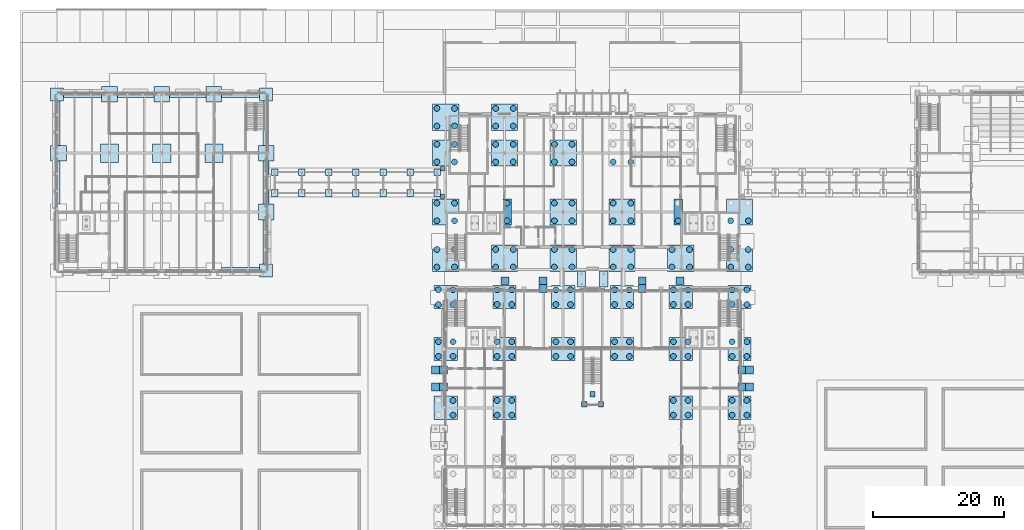
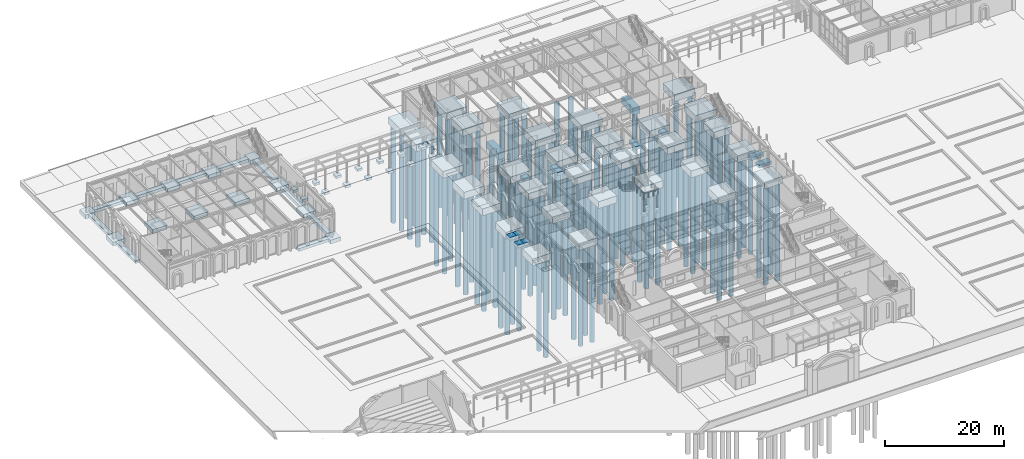
# One storey, part 2 of 126: 125 piles, 90 footings.
"""IFC4 building model written with IfcOpenShell, lengths in metres."""

from ifc_helpers import new_model, si_unit, direction, frame, origin, origin_2d, place, context, subcontext, project, spatial, rectangle, circle, extrude, material, type_object, element, save


model = new_model("IFC4")

# Units and contexts
model_context = context("Model", 3, precision=1e-05, world=origin(), true_north=direction((0.0, 1.0)))
body_context = subcontext(model_context, "Body", "Model", "MODEL_VIEW")
ifc_project = project(units=[si_unit("LENGTHUNIT", "METRE"), si_unit("AREAUNIT", "SQUARE_METRE"), si_unit("VOLUMEUNIT", "CUBIC_METRE"), si_unit("PLANEANGLEUNIT", "RADIAN"), si_unit("MASSUNIT", "GRAM", prefix="KILO")], contexts=[model_context])

# Site, building, storey
site_placement = place(None, origin())
site = spatial("IfcSite", under=ifc_project, at=site_placement, CompositionType="ELEMENT")
building_placement = place(site_placement, origin())
building = spatial("IfcBuilding", under=site, at=building_placement, Name="Kallimachos Central Library", CompositionType="ELEMENT")
storey_placement = place(building_placement, origin())
storey = spatial("IfcBuildingStorey", under=building, at=storey_placement, Name="L00", CompositionType="ELEMENT", Elevation=0.0)

# Piles
ifc_material_1 = material(Name="Concrete C30/37", Category="concrete")
pile_type = type_object("IfcPileType", Name="Bored pile D900", PredefinedType="BORED", material=ifc_material_1)
for number, where, z_axis, x_axis, name in (
    (1, (66.625, 64.875, -1.60009765625), (0.0, 0.0, -1.0), (1.0, 0.0, 0.0), "V4-PIL-L00-051"),
    (2, (66.625, 67.125, -1.60009765625), (0.0, 0.0, -1.0), (1.0, 0.0, 0.0), "V4-PIL-L00-052"),
    (3, (73.375, 64.875, -1.60009765625), (0.0, 0.0, -1.0), (1.0, 0.0, 0.0), "V4-PIL-L00-053"),
    (4, (73.375, 67.125, -1.60009765625), (0.0, 0.0, -1.0), (1.0, 0.0, 0.0), "V4-PIL-L00-054"),
    (5, (75.625, 64.875, -1.60009765625), (0.0, 0.0, -1.0), (1.0, 0.0, 0.0), "V4-PIL-L00-055"),
    (6, (75.625, 67.125, -1.60009765625), (0.0, 0.0, -1.0), (1.0, 0.0, 0.0), "V4-PIL-L00-056"),
    (7, (100.375, 64.875, -1.60009765625), (0.0, 0.0, -1.0), (1.0, 0.0, 0.0), "V4-PIL-L00-057"),
    (8, (100.375, 67.125, -1.60009765625), (0.0, 0.0, -1.0), (1.0, 0.0, 0.0), "V4-PIL-L00-058"),
    (9, (102.625, 64.875, -1.60009765625), (0.0, 0.0, -1.0), (1.0, 0.0, 0.0), "V4-PIL-L00-059"),
    (10, (102.625, 67.125, -1.60009765625), (0.0, 0.0, -1.0), (1.0, 0.0, 0.0), "V4-PIL-L00-060"),
    (11, (109.375, 64.875, -1.60009765625), (0.0, 0.0, -1.0), (1.0, 0.0, 0.0), "V4-PIL-L00-061"),
    (12, (109.375, 67.125, -1.60009765625), (0.0, 0.0, -1.0), (1.0, 0.0, 0.0), "V4-PIL-L00-062"),
    (13, (111.625, 64.875, -1.60009765625), (0.0, 0.0, -1.0), (1.0, 0.0, 0.0), "V4-PIL-L00-063"),
    (14, (111.625, 67.125, -1.60009765625), (0.0, 0.0, -1.0), (1.0, 0.0, 0.0), "V4-PIL-L00-064"),
    (15, (64.375, 73.875, -1.60009765625), (0.0, 0.0, -1.0), (1.0, 0.0, 0.0), "V4-PIL-L00-065"),
    (16, (64.375, 76.125, -1.60009765625), (0.0, 0.0, -1.0), (1.0, 0.0, 0.0), "V4-PIL-L00-066"),
    (17, (66.625, 73.875, -1.60009765625), (0.0, 0.0, -1.0), (1.0, 0.0, 0.0), "V4-PIL-L00-067"),
    (18, (66.625, 76.125, -1.60009765625), (0.0, 0.0, -1.0), (1.0, 0.0, 0.0), "V4-PIL-L00-068"),
    (19, (73.375, 73.875, -1.60009765625), (0.0, 0.0, -1.0), (1.0, 0.0, 0.0), "V4-PIL-L00-069"),
    (20, (73.375, 76.125, -1.60009765625), (0.0, 0.0, -1.0), (1.0, 0.0, 0.0), "V4-PIL-L00-070"),
    (21, (75.625, 73.875, -1.60009765625), (0.0, 0.0, -1.0), (1.0, 0.0, 0.0), "V4-PIL-L00-071"),
    (22, (75.625, 76.125, -1.60009765625), (0.0, 0.0, -1.0), (1.0, 0.0, 0.0), "V4-PIL-L00-072"),
    (23, (82.375, 73.875, -1.60009765625), (0.0, 0.0, -1.0), (1.0, 0.0, 0.0), "V4-PIL-L00-073"),
    (24, (82.375, 76.125, -1.60009765625), (0.0, 0.0, -1.0), (1.0, 0.0, 0.0), "V4-PIL-L00-074"),
    (25, (84.625, 73.875, -1.60009765625), (0.0, 0.0, -1.0), (1.0, 0.0, 0.0), "V4-PIL-L00-075"),
    (26, (84.625, 76.125, -1.60009765625), (0.0, 0.0, -1.0), (1.0, 0.0, 0.0), "V4-PIL-L00-076"),
    (27, (91.375, 73.875, -1.60009765625), (0.0, 0.0, -1.0), (1.0, 0.0, 0.0), "V4-PIL-L00-077"),
    (28, (91.375, 76.125, -1.60009765625), (0.0, 0.0, -1.0), (1.0, 0.0, 0.0), "V4-PIL-L00-078"),
    (29, (93.625, 73.875, -1.60009765625), (0.0, 0.0, -1.0), (1.0, 0.0, 0.0), "V4-PIL-L00-079"),
    (30, (93.625, 76.125, -1.60009765625), (0.0, 0.0, -1.0), (1.0, 0.0, 0.0), "V4-PIL-L00-080"),
    (31, (100.375, 73.875, -1.60009765625), (0.0, 0.0, -1.0), (1.0, 0.0, 0.0), "V4-PIL-L00-081"),
    (32, (100.375, 76.125, -1.60009765625), (0.0, 0.0, -1.0), (1.0, 0.0, 0.0), "V4-PIL-L00-082"),
    (33, (102.625, 73.875, -1.60009765625), (0.0, 0.0, -1.0), (1.0, 0.0, 0.0), "V4-PIL-L00-083"),
    (34, (102.625, 76.125, -1.60009765625), (0.0, 0.0, -1.0), (1.0, 0.0, 0.0), "V4-PIL-L00-084"),
    (35, (109.375, 73.875, -1.60009765625), (0.0, 0.0, -1.0), (1.0, 0.0, 0.0), "V4-PIL-L00-085"),
    (36, (109.375, 76.125, -1.60009765625), (0.0, 0.0, -1.0), (1.0, 0.0, 0.0), "V4-PIL-L00-086"),
    (37, (111.625, 73.875, -1.60009765625), (0.0, 0.0, -1.0), (1.0, 0.0, 0.0), "V4-PIL-L00-087"),
    (38, (111.625, 76.125, -1.60009765625), (0.0, 0.0, -1.0), (1.0, 0.0, 0.0), "V4-PIL-L00-088"),
    (39, (64.375, 81.824951171875, -1.60009765625), (0.0, 0.0, -1.0), (1.0, 0.0, 0.0), "V4-PIL-L00-089"),
    (40, (64.375, 84.074951171875, -1.60009765625), (0.0, 0.0, -1.0), (1.0, 0.0, 0.0), "V4-PIL-L00-090"),
    (41, (66.625, 81.824951171875, -1.60009765625), (0.0, 0.0, -1.0), (1.0, 0.0, 0.0), "V4-PIL-L00-091"),
    (42, (66.625, 84.074951171875, -1.60009765625), (0.0, 0.0, -1.0), (1.0, 0.0, 0.0), "V4-PIL-L00-092"),
    (43, (73.375, 81.824951171875, -1.60009765625), (0.0, 0.0, -1.0), (1.0, 0.0, 0.0), "V4-PIL-L00-093"),
    (44, (73.375, 84.074951171875, -1.60009765625), (0.0, 0.0, -1.0), (1.0, 0.0, 0.0), "V4-PIL-L00-094"),
    (45, (75.625, 81.824951171875, -1.60009765625), (0.0, 0.0, -1.0), (1.0, 0.0, 0.0), "V4-PIL-L00-095"),
    (46, (75.625, 84.074951171875, -1.60009765625), (0.0, 0.0, -1.0), (1.0, 0.0, 0.0), "V4-PIL-L00-096"),
    (47, (82.375, 81.824951171875, -1.60009765625), (0.0, 0.0, -1.0), (1.0, 0.0, 0.0), "V4-PIL-L00-097"),
    (48, (82.375, 84.074951171875, -1.60009765625), (0.0, 0.0, -1.0), (1.0, 0.0, 0.0), "V4-PIL-L00-098"),
    (49, (84.625, 81.824951171875, -1.60009765625), (0.0, 0.0, -1.0), (1.0, 0.0, 0.0), "V4-PIL-L00-099"),
    (50, (84.625, 84.074951171875, -1.60009765625), (0.0, 0.0, -1.0), (1.0, 0.0, 0.0), "V4-PIL-L00-100"),
    (51, (91.375, 81.824951171875, -1.60009765625), (0.0, 0.0, -1.0), (1.0, 0.0, 0.0), "V4-PIL-L00-101"),
    (52, (91.375, 84.074951171875, -1.60009765625), (0.0, 0.0, -1.0), (1.0, 0.0, 0.0), "V4-PIL-L00-102"),
    (53, (93.625, 81.824951171875, -1.60009765625), (0.0, 0.0, -1.0), (1.0, 0.0, 0.0), "V4-PIL-L00-103"),
    (54, (93.625, 84.074951171875, -1.60009765625), (0.0, 0.0, -1.0), (1.0, 0.0, 0.0), "V4-PIL-L00-104"),
    (55, (100.375, 81.824951171875, -1.60009765625), (0.0, 0.0, -1.0), (1.0, 0.0, 0.0), "V4-PIL-L00-105"),
    (56, (100.375, 84.074951171875, -1.60009765625), (0.0, 0.0, -1.0), (1.0, 0.0, 0.0), "V4-PIL-L00-106"),
    (57, (102.625, 81.824951171875, -1.60009765625), (0.0, 0.0, -1.0), (1.0, 0.0, 0.0), "V4-PIL-L00-107"),
    (58, (102.625, 84.074951171875, -1.60009765625), (0.0, 0.0, -1.0), (1.0, 0.0, 0.0), "V4-PIL-L00-108"),
    (59, (109.375, 81.824951171875, -1.60009765625), (0.0, 0.0, -1.0), (1.0, 0.0, 0.0), "V4-PIL-L00-109"),
    (60, (109.375, 84.074951171875, -1.60009765625), (0.0, 0.0, -1.0), (1.0, 0.0, 0.0), "V4-PIL-L00-110"),
    (61, (111.625, 81.824951171875, -1.60009765625), (0.0, 0.0, -1.0), (1.0, 0.0, 0.0), "V4-PIL-L00-111"),
    (62, (111.625, 84.074951171875, -1.60009765625), (0.0, 0.0, -1.0), (1.0, 0.0, 0.0), "V4-PIL-L00-112"),
    (63, (64.14990234375, 87.550048828125, -1.60009765625), (0.0, 0.0, -1.0), (1.0, 0.0, 0.0), "V1-PIL-L00-001"),
    (64, (64.14990234375, 90.25, -1.60009765625), (0.0, 0.0, -1.0), (1.0, 0.0, 0.0), "V1-PIL-L00-002"),
    (65, (66.85009765625, 87.550048828125, -1.60009765625), (0.0, 0.0, -1.0), (1.0, 0.0, 0.0), "V1-PIL-L00-003"),
    (66, (66.85009765625, 90.25, -1.60009765625), (0.0, 0.0, -1.0), (1.0, 0.0, 0.0), "V1-PIL-L00-004"),
    (67, (73.14990234375, 87.550048828125, -1.60009765625), (0.0, 0.0, -1.0), (1.0, 0.0, 0.0), "V1-PIL-L00-005"),
    (68, (73.14990234375, 90.25, -1.60009765625), (0.0, 0.0, -1.0), (1.0, 0.0, 0.0), "V1-PIL-L00-006"),
    (69, (75.85009765625, 87.550048828125, -1.60009765625), (0.0, 0.0, -1.0), (1.0, 0.0, 0.0), "V1-PIL-L00-007"),
    (70, (75.85009765625, 90.25, -1.60009765625), (0.0, 0.0, -1.0), (1.0, 0.0, 0.0), "V1-PIL-L00-008"),
    (71, (82.14990234375, 87.550048828125, -1.60009765625), (0.0, 0.0, -1.0), (1.0, 0.0, 0.0), "V1-PIL-L00-009"),
    (72, (82.14990234375, 90.25, -1.60009765625), (0.0, 0.0, -1.0), (1.0, 0.0, 0.0), "V1-PIL-L00-010"),
    (73, (84.85009765625, 87.550048828125, -1.60009765625), (0.0, 0.0, -1.0), (1.0, 0.0, 0.0), "V1-PIL-L00-011"),
    (74, (84.85009765625, 90.25, -1.60009765625), (0.0, 0.0, -1.0), (1.0, 0.0, 0.0), "V1-PIL-L00-012"),
    (75, (91.14990234375, 87.550048828125, -1.60009765625), (0.0, 0.0, -1.0), (1.0, 0.0, 0.0), "V1-PIL-L00-013"),
    (76, (91.14990234375, 90.25, -1.60009765625), (0.0, 0.0, -1.0), (1.0, 0.0, 0.0), "V1-PIL-L00-014"),
    (77, (93.85009765625, 87.550048828125, -1.60009765625), (0.0, 0.0, -1.0), (1.0, 0.0, 0.0), "V1-PIL-L00-015"),
    (78, (93.85009765625, 90.25, -1.60009765625), (0.0, 0.0, -1.0), (1.0, 0.0, 0.0), "V1-PIL-L00-016"),
    (79, (100.14990234375, 87.550048828125, -1.60009765625), (0.0, 0.0, -1.0), (1.0, 0.0, 0.0), "V1-PIL-L00-017"),
    (80, (100.14990234375, 90.25, -1.60009765625), (0.0, 0.0, -1.0), (1.0, 0.0, 0.0), "V1-PIL-L00-018"),
    (81, (102.85009765625, 87.550048828125, -1.60009765625), (0.0, 0.0, -1.0), (1.0, 0.0, 0.0), "V1-PIL-L00-019"),
    (82, (102.85009765625, 90.25, -1.60009765625), (0.0, 0.0, -1.0), (1.0, 0.0, 0.0), "V1-PIL-L00-020"),
    (83, (109.14990234375, 87.550048828125, -1.60009765625), (0.0, 0.0, -1.0), (1.0, 0.0, 0.0), "V1-PIL-L00-021"),
    (84, (109.14990234375, 90.25, -1.60009765625), (0.0, 0.0, -1.0), (1.0, 0.0, 0.0), "V1-PIL-L00-022"),
    (85, (111.85009765625, 87.550048828125, -1.60009765625), (0.0, 0.0, -1.0), (1.0, 0.0, 0.0), "V1-PIL-L00-023"),
    (86, (111.85009765625, 90.25, -1.60009765625), (0.0, 0.0, -1.0), (1.0, 0.0, 0.0), "V1-PIL-L00-024"),
    (87, (64.14990234375, 94.64990234375, -1.60009765625), (0.0, 0.0, -1.0), (1.0, 0.0, 0.0), "V1-PIL-L00-025"),
    (88, (64.14990234375, 97.35009765625, -1.60009765625), (0.0, 0.0, -1.0), (1.0, 0.0, 0.0), "V1-PIL-L00-026"),
    (89, (66.85009765625, 94.64990234375, -1.60009765625), (0.0, 0.0, -1.0), (1.0, 0.0, 0.0), "V1-PIL-L00-027"),
    (90, (66.85009765625, 97.35009765625, -1.60009765625), (0.0, 0.0, -1.0), (1.0, 0.0, 0.0), "V1-PIL-L00-028"),
    (91, (74.89990234375, 94.64990234375, -1.60009765625), (0.0, 0.0, -1.0), (1.0, 0.0, 0.0), "V1-PIL-L00-029"),
    (92, (74.89990234375, 97.35009765625, -1.60009765625), (0.0, 0.0, -1.0), (1.0, 0.0, 0.0), "V1-PIL-L00-030"),
    (93, (82.14990234375, 94.64990234375, -1.60009765625), (0.0, 0.0, -1.0), (1.0, 0.0, 0.0), "V1-PIL-L00-031"),
    (94, (82.14990234375, 97.35009765625, -1.60009765625), (0.0, 0.0, -1.0), (1.0, 0.0, 0.0), "V1-PIL-L00-032"),
    (95, (84.85009765625, 94.64990234375, -1.60009765625), (0.0, 0.0, -1.0), (1.0, 0.0, 0.0), "V1-PIL-L00-033"),
    (96, (84.85009765625, 97.35009765625, -1.60009765625), (0.0, 0.0, -1.0), (1.0, 0.0, 0.0), "V1-PIL-L00-034"),
    (97, (91.14990234375, 94.64990234375, -1.60009765625), (0.0, 0.0, -1.0), (1.0, 0.0, 0.0), "V1-PIL-L00-035"),
    (98, (91.14990234375, 97.35009765625, -1.60009765625), (0.0, 0.0, -1.0), (1.0, 0.0, 0.0), "V1-PIL-L00-036"),
    (99, (93.85009765625, 94.64990234375, -1.60009765625), (0.0, 0.0, -1.0), (1.0, 0.0, 0.0), "V1-PIL-L00-037"),
    (100, (93.85009765625, 97.35009765625, -1.60009765625), (0.0, 0.0, -1.0), (1.0, 0.0, 0.0), "V1-PIL-L00-038"),
    (101, (101.10009765625, 94.64990234375, -1.60009765625), (0.0, 0.0, -1.0), (1.0, 0.0, 0.0), "V1-PIL-L00-039"),
    (102, (109.14990234375, 94.64990234375, -1.60009765625), (0.0, 0.0, -1.0), (1.0, 0.0, 0.0), "V1-PIL-L00-041"),
    (103, (111.85009765625, 94.64990234375, -1.60009765625), (0.0, 0.0, -1.0), (1.0, 0.0, 0.0), "V1-PIL-L00-043"),
    (104, (64.14990234375, 103.64990234375, -1.60009765625), (0.0, 0.0, -1.0), (1.0, 0.0, 0.0), "V1-PIL-L00-045"),
    (105, (64.14990234375, 106.35009765625, -1.60009765625), (0.0, 0.0, -1.0), (1.0, 0.0, 0.0), "V1-PIL-L00-046"),
    (106, (66.85009765625, 103.64990234375, -1.60009765625), (0.0, 0.0, -1.0), (1.0, 0.0, 0.0), "V1-PIL-L00-047"),
    (107, (66.85009765625, 106.35009765625, -1.60009765625), (0.0, 0.0, -1.0), (1.0, 0.0, 0.0), "V1-PIL-L00-048"),
    (108, (73.14990234375, 103.64990234375, -1.60009765625), (0.0, 0.0, -1.0), (1.0, 0.0, 0.0), "V1-PIL-L00-049"),
    (109, (73.14990234375, 106.35009765625, -1.60009765625), (0.0, 0.0, -1.0), (1.0, 0.0, 0.0), "V1-PIL-L00-050"),
    (110, (75.85009765625, 103.64990234375, -1.60009765625), (0.0, 0.0, -1.0), (1.0, 0.0, 0.0), "V1-PIL-L00-051"),
    (111, (75.85009765625, 106.35009765625, -1.60009765625), (0.0, 0.0, -1.0), (1.0, 0.0, 0.0), "V1-PIL-L00-052"),
    (112, (82.14990234375, 103.64990234375, -1.60009765625), (0.0, 0.0, -1.0), (1.0, 0.0, 0.0), "V1-PIL-L00-053"),
    (113, (82.14990234375, 106.35009765625, -1.60009765625), (0.0, 0.0, -1.0), (1.0, 0.0, 0.0), "V1-PIL-L00-054"),
    (114, (84.85009765625, 103.64990234375, -1.60009765625), (0.0, 0.0, -1.0), (1.0, 0.0, 0.0), "V1-PIL-L00-055"),
    (115, (84.85009765625, 106.35009765625, -1.60009765625), (0.0, 0.0, -1.0), (1.0, 0.0, 0.0), "V1-PIL-L00-056"),
    (116, (91.14990234375, 103.64990234375, -1.60009765625), (0.0, 0.0, -1.0), (1.0, 0.0, 0.0), "V1-PIL-L00-057"),
    (117, (93.85009765625, 103.64990234375, -1.60009765625), (0.0, 0.0, -1.0), (1.0, 0.0, 0.0), "V1-PIL-L00-059"),
    (118, (64.14990234375, 109.14990234375, -1.60009765625), (0.0, 0.0, -1.0), (1.0, 0.0, 0.0), "V1-PIL-L00-069"),
    (119, (64.14990234375, 111.85009765625, -1.60009765625), (0.0, 0.0, -1.0), (1.0, 0.0, 0.0), "V1-PIL-L00-070"),
    (120, (66.85009765625, 109.14990234375, -1.60009765625), (0.0, 0.0, -1.0), (1.0, 0.0, 0.0), "V1-PIL-L00-071"),
    (121, (66.85009765625, 111.85009765625, -1.60009765625), (0.0, 0.0, -1.0), (1.0, 0.0, 0.0), "V1-PIL-L00-072"),
    (122, (73.14990234375, 109.14990234375, -1.60009765625), (0.0, 0.0, -1.0), (1.0, 0.0, 0.0), "V1-PIL-L00-073"),
    (123, (73.14990234375, 111.85009765625, -1.60009765625), (0.0, 0.0, -1.0), (1.0, 0.0, 0.0), "V1-PIL-L00-074"),
    (124, (75.85009765625, 109.14990234375, -1.60009765625), (0.0, 0.0, -1.0), (1.0, 0.0, 0.0), "V1-PIL-L00-075"),
    (125, (75.85009765625, 111.85009765625, -1.60009765625), (0.0, 0.0, -1.0), (1.0, 0.0, 0.0), "V1-PIL-L00-076"),
):
    element("IfcPile", number, at=place(storey_placement, frame(where, z_axis=z_axis, x_axis=x_axis)), inside=storey, type_object=pile_type, Name=name, PredefinedType="BORED", context=body_context, shape_type="SweptSolid", body=[
        extrude(circle(Radius=0.449951171875, at=origin_2d()), origin(), (0.0, 0.0, 1.0), 20.10009765625),
    ])

# Footings
ifc_material_2 = material(Name="Concrete C30/37", Category="concrete")
footing_type_1 = type_object("IfcFootingType", Name="Pad footing 1000 x 1000 x 500", PredefinedType="PAD_FOOTING", material=ifc_material_2)
for number, where, z_axis, x_axis, name in (
    (126, (39.300048828125, 98.89990234375, -0.64990234375), (0.0, 0.0, 1.0), (1.0, 0.0, 0.0), "Arcade A1 footing"),
    (127, (39.300048828125, 102.10009765625, -0.64990234375), (0.0, 0.0, 1.0), (1.0, 0.0, 0.0), "Arcade A1 footing"),
    (128, (43.449951171875, 98.89990234375, -0.64990234375), (0.0, 0.0, 1.0), (1.0, 0.0, 0.0), "Arcade A1 footing"),
    (129, (43.449951171875, 102.10009765625, -0.64990234375), (0.0, 0.0, 1.0), (1.0, 0.0, 0.0), "Arcade A1 footing"),
    (130, (47.60009765625, 98.89990234375, -0.64990234375), (0.0, 0.0, 1.0), (1.0, 0.0, 0.0), "Arcade A1 footing"),
    (131, (47.60009765625, 102.10009765625, -0.64990234375), (0.0, 0.0, 1.0), (1.0, 0.0, 0.0), "Arcade A1 footing"),
    (132, (51.75, 98.89990234375, -0.64990234375), (0.0, 0.0, 1.0), (1.0, 0.0, 0.0), "Arcade A1 footing"),
    (133, (51.75, 102.10009765625, -0.64990234375), (0.0, 0.0, 1.0), (1.0, 0.0, 0.0), "Arcade A1 footing"),
    (134, (55.89990234375, 98.89990234375, -0.64990234375), (0.0, 0.0, 1.0), (1.0, 0.0, 0.0), "Arcade A1 footing"),
    (135, (55.89990234375, 102.10009765625, -0.64990234375), (0.0, 0.0, 1.0), (1.0, 0.0, 0.0), "Arcade A1 footing"),
    (136, (60.050048828125, 98.89990234375, -0.64990234375), (0.0, 0.0, 1.0), (1.0, 0.0, 0.0), "Arcade A1 footing"),
    (137, (60.050048828125, 102.10009765625, -0.64990234375), (0.0, 0.0, 1.0), (1.0, 0.0, 0.0), "Arcade A1 footing"),
    (138, (64.199951171875, 98.89990234375, -0.64990234375), (0.0, 0.0, 1.0), (1.0, 0.0, 0.0), "Arcade A1 footing"),
    (139, (64.199951171875, 102.10009765625, -0.64990234375), (0.0, 0.0, 1.0), (1.0, 0.0, 0.0), "Arcade A1 footing"),
):
    element("IfcFooting", number, at=place(storey_placement, frame(where, z_axis=z_axis, x_axis=x_axis)), inside=storey, type_object=footing_type_1, Name=name, PredefinedType="PAD_FOOTING", context=body_context, shape_type="SweptSolid", body=[
        extrude(rectangle(XDim=1.0, YDim=1.0, at=origin_2d()), origin(), (0.0, 0.0, 1.0), 0.5),
    ])
ifc_material_3 = material(Name="Concrete C30/37", Category="concrete")
footing_type_2 = type_object("IfcFootingType", Name="Pad footing 1200 x 1200 x 600", PredefinedType="PAD_FOOTING", material=ifc_material_3)
for number, where, z_axis, x_axis, name in (
    (140, (80.39990234375, 84.26611328125, -0.60009765625), (0.0, 0.0, 1.0), (1.0, 0.0, 0.0), "Tribune bay N1 footing 2"),
    (141, (74.60009765625, 85.466064453125, -0.60009765625), (0.0, 0.0, 1.0), (1.0, 0.0, 0.0), "Tribune bay N1 footing 3"),
    (142, (80.39990234375, 85.466064453125, -0.60009765625), (0.0, 0.0, 1.0), (1.0, 0.0, 0.0), "Tribune bay N1 footing 4"),
    (143, (95.60009765625, 84.26611328125, -0.60009765625), (0.0, 0.0, 1.0), (1.0, 0.0, 0.0), "Tribune bay N2 footing 1"),
    (144, (95.60009765625, 85.466064453125, -0.60009765625), (0.0, 0.0, 1.0), (1.0, 0.0, 0.0), "Tribune bay N2 footing 3"),
    (145, (101.39990234375, 85.466064453125, -0.60009765625), (0.0, 0.0, 1.0), (1.0, 0.0, 0.0), "Tribune bay N2 footing 4"),
    (146, (65.14990234375, 69.199951171875, -0.60009765625), (0.0, 0.0, 1.0), (1.0, 0.0, 0.0), "Tribune bay W2 footing 1"),
    (147, (65.14990234375, 71.800048828125, -0.60009765625), (0.0, 0.0, 1.0), (1.0, 0.0, 0.0), "Tribune bay W2 footing 2"),
    (148, (63.949951171875, 69.199951171875, -0.60009765625), (0.0, 0.0, 1.0), (1.0, 0.0, 0.0), "Tribune bay W2 footing 3"),
    (149, (63.949951171875, 71.800048828125, -0.60009765625), (0.0, 0.0, 1.0), (1.0, 0.0, 0.0), "Tribune bay W2 footing 4"),
    (150, (110.85009765625, 69.199951171875, -0.60009765625), (0.0, 0.0, 1.0), (1.0, 0.0, 0.0), "Tribune bay E2 footing 1"),
    (151, (110.85009765625, 71.800048828125, -0.60009765625), (0.0, 0.0, 1.0), (1.0, 0.0, 0.0), "Tribune bay E2 footing 2"),
    (152, (112.050048828125, 69.199951171875, -0.60009765625), (0.0, 0.0, 1.0), (1.0, 0.0, 0.0), "Tribune bay E2 footing 3"),
    (153, (112.050048828125, 71.800048828125, -0.60009765625), (0.0, 0.0, 1.0), (1.0, 0.0, 0.0), "Tribune bay E2 footing 4"),
):
    element("IfcFooting", number, at=place(storey_placement, frame(where, z_axis=z_axis, x_axis=x_axis)), inside=storey, type_object=footing_type_2, Name=name, PredefinedType="PAD_FOOTING", context=body_context, shape_type="SweptSolid", body=[
        extrude(rectangle(XDim=1.199951171875, YDim=1.199951171875, at=origin_2d()), origin(), (0.0, 0.0, 1.0), 0.60009765625),
    ])
ifc_material_4 = material(Name="Concrete C30/37", Category="concrete")
footing_type_3 = type_object("IfcFootingType", Name="Pad footing 1300 x 2400 x 600", PredefinedType="PAD_FOOTING", material=ifc_material_4)
for number, where, z_axis, x_axis, name in (
    (154, (86.300048828125, 85.737548828125, -0.800048828125), (0.0, 0.0, 1.0), (1.0, 0.0, 0.0), "Reading Link footing"),
    (155, (89.699951171875, 85.737548828125, -0.800048828125), (0.0, 0.0, 1.0), (1.0, 0.0, 0.0), "Reading Link footing"),
):
    element("IfcFooting", number, at=place(storey_placement, frame(where, z_axis=z_axis, x_axis=x_axis)), inside=storey, type_object=footing_type_3, Name=name, PredefinedType="PAD_FOOTING", context=body_context, shape_type="SweptSolid", body=[
        extrude(rectangle(XDim=1.300048828125, YDim=2.39990234375, at=origin_2d()), origin(), (0.0, 0.0, 1.0), 0.60009765625),
    ])
ifc_material_5 = material(Name="Concrete C30/37", Category="concrete")
footing_type_4 = type_object("IfcFootingType", Name="Pad footing 2000x2000x800", PredefinedType="PAD_FOOTING", material=ifc_material_5)
for number, where, z_axis, x_axis, name in (
    (156, (6.0, 114.0, -1.10009765625), (0.0, 0.0, 1.0), (1.0, 0.0, 0.0), "V2-FTG-L00-004"),
    (157, (38.0, 87.0, -1.10009765625), (0.0, 0.0, 1.0), (1.0, 0.0, 0.0), "V2-FTG-L00-017"),
    (158, (38.0, 114.0, -1.10009765625), (0.0, 0.0, 1.0), (1.0, 0.0, 0.0), "V2-FTG-L00-020"),
):
    element("IfcFooting", number, at=place(storey_placement, frame(where, z_axis=z_axis, x_axis=x_axis)), inside=storey, type_object=footing_type_4, Name=name, PredefinedType="PAD_FOOTING", context=body_context, shape_type="SweptSolid", body=[
        extrude(rectangle(XDim=2.0, YDim=2.0, at=origin_2d()), origin(), (0.0, 0.0, 1.0), 0.800048828125),
    ])
ifc_material_6 = material(Name="Concrete C30/37", Category="concrete")
footing_type_5 = type_object("IfcFootingType", Name="Pad footing 2400x2400x800", PredefinedType="PAD_FOOTING", material=ifc_material_6)
for number, where, z_axis, x_axis, name in (
    (159, (6.199951171875, 105.0, -1.10009765625), (0.0, 0.0, 1.0), (1.0, 0.0, 0.0), "V2-FTG-L00-003"),
    (160, (14.0, 114.0, -1.10009765625), (0.0, 0.0, 1.0), (1.0, 0.0, 0.0), "V2-FTG-L00-008"),
    (161, (22.0, 114.0, -1.10009765625), (0.0, 0.0, 1.0), (1.0, 0.0, 0.0), "V2-FTG-L00-012"),
    (162, (30.0, 114.0, -1.10009765625), (0.0, 0.0, 1.0), (1.0, 0.0, 0.0), "V2-FTG-L00-016"),
    (163, (38.0, 96.0, -1.10009765625), (0.0, 0.0, 1.0), (1.0, 0.0, 0.0), "V2-FTG-L00-018"),
    (164, (38.0, 105.0, -1.10009765625), (0.0, 0.0, 1.0), (1.0, 0.0, 0.0), "V2-FTG-L00-019"),
):
    element("IfcFooting", number, at=place(storey_placement, frame(where, z_axis=z_axis, x_axis=x_axis)), inside=storey, type_object=footing_type_5, Name=name, PredefinedType="PAD_FOOTING", context=body_context, shape_type="SweptSolid", body=[
        extrude(rectangle(XDim=2.39990234375, YDim=2.39990234375, at=origin_2d()), origin(), (0.0, 0.0, 1.0), 0.800048828125),
    ])
ifc_material_7 = material(Name="Concrete C30/37", Category="concrete")
footing_type_6 = type_object("IfcFootingType", Name="Pad footing 2800x2800x800", PredefinedType="PAD_FOOTING", material=ifc_material_7)
for number, where, z_axis, x_axis, name in (
    (165, (14.0, 105.0, -1.10009765625), (0.0, 0.0, 1.0), (1.0, 0.0, 0.0), "V2-FTG-L00-007"),
    (166, (22.0, 105.0, -1.10009765625), (0.0, 0.0, 1.0), (1.0, 0.0, 0.0), "V2-FTG-L00-011"),
    (167, (30.0, 105.0, -1.10009765625), (0.0, 0.0, 1.0), (1.0, 0.0, 0.0), "V2-FTG-L00-015"),
):
    element("IfcFooting", number, at=place(storey_placement, frame(where, z_axis=z_axis, x_axis=x_axis)), inside=storey, type_object=footing_type_6, Name=name, PredefinedType="PAD_FOOTING", context=body_context, shape_type="SweptSolid", body=[
        extrude(rectangle(XDim=2.800048828125, YDim=2.800048828125, at=origin_2d()), origin(), (0.0, 0.0, 1.0), 0.800048828125),
    ])
ifc_material_8 = material(Name="Concrete C30/37", Category="concrete")
footing_type_7 = type_object("IfcFootingType", Name="Pad footing 600 x 700 x 500", PredefinedType="PAD_FOOTING", material=ifc_material_8)
for number, where, z_axis, x_axis, name in (
    (168, (65.02490234375, 98.39990234375, -0.64990234375), (0.0, 0.0, 1.0), (1.0, 0.0, 0.0), "B-W landing column footing"),
    (169, (65.02490234375, 102.60009765625, -0.64990234375), (0.0, 0.0, 1.0), (1.0, 0.0, 0.0), "B-W landing column footing"),
):
    element("IfcFooting", number, at=place(storey_placement, frame(where, z_axis=z_axis, x_axis=x_axis)), inside=storey, type_object=footing_type_7, Name=name, PredefinedType="PAD_FOOTING", context=body_context, shape_type="SweptSolid", body=[
        extrude(rectangle(XDim=0.60009765625, YDim=0.699951171875, at=origin_2d()), origin(), (0.0, 0.0, 1.0), 0.5),
    ])
ifc_material_9 = material(Name="Concrete C30/37", Category="concrete")
footing_type_8 = type_object("IfcFootingType", Name="Pad footing 800 x 800 x 500", PredefinedType="PAD_FOOTING", material=ifc_material_9)
for number, where, z_axis, x_axis, name in (
    (170, (86.72509765625, 66.550048828125, -0.800048828125), (0.0, 0.0, 1.0), (1.0, 0.0, 0.0), "Feature stair landing footing"),
    (171, (89.27490234375, 66.550048828125, -0.800048828125), (0.0, 0.0, 1.0), (1.0, 0.0, 0.0), "Feature stair landing footing"),
    (172, (88.0, 68.06494140625, -0.800048828125), (0.0, 0.0, 1.0), (1.0, 0.0, 0.0), "Feature stair landing footing"),
):
    element("IfcFooting", number, at=place(storey_placement, frame(where, z_axis=z_axis, x_axis=x_axis)), inside=storey, type_object=footing_type_8, Name=name, PredefinedType="PAD_FOOTING", context=body_context, shape_type="SweptSolid", body=[
        extrude(rectangle(XDim=0.800048828125, YDim=0.800048828125, at=origin_2d()), origin(), (0.0, 0.0, 1.0), 0.5),
    ])
ifc_material_10 = material(Name="Concrete C35/45", Category="concrete")
footing_type_9 = type_object("IfcFootingType", Name="Pile cap 1x2 D900 1300 x 4000", PredefinedType="PILE_CAP", material=ifc_material_10)
for number, where, z_axis, x_axis, name in (
    (173, (74.89990234375, 96.0, -1.699951171875), (0.0, 0.0, 1.0), (1.0, 0.0, 0.0), "V1-FTG-L00-008"),
    (174, (101.10009765625, 96.0, -1.699951171875), (0.0, 0.0, 1.0), (1.0, 0.0, 0.0), "V1-FTG-L00-011"),
):
    element("IfcFooting", number, at=place(storey_placement, frame(where, z_axis=z_axis, x_axis=x_axis)), inside=storey, type_object=footing_type_9, Name=name, PredefinedType="PILE_CAP", context=body_context, shape_type="SweptSolid", body=[
        extrude(rectangle(XDim=1.300048828125, YDim=4.0, at=origin_2d()), origin(), (0.0, 0.0, 1.0), 1.39990234375),
    ])
ifc_material_11 = material(Name="Concrete C35/45", Category="concrete")
footing_type_10 = type_object("IfcFootingType", Name="Pile cap 2x2 D900 3550 x 3550", PredefinedType="PILE_CAP", material=ifc_material_11)
for number, where, z_axis, x_axis, name in (
    (175, (65.5, 66.0, -1.699951171875), (0.0, 0.0, 1.0), (1.0, 0.0, 0.0), "V4-FTG-L00-016"),
    (176, (74.5, 66.0, -1.699951171875), (0.0, 0.0, 1.0), (1.0, 0.0, 0.0), "V4-FTG-L00-017"),
    (177, (101.5, 66.0, -1.699951171875), (0.0, 0.0, 1.0), (1.0, 0.0, 0.0), "V4-FTG-L00-018"),
    (178, (110.5, 66.0, -1.699951171875), (0.0, 0.0, 1.0), (1.0, 0.0, 0.0), "V4-FTG-L00-019"),
    (179, (65.5, 75.0, -1.699951171875), (0.0, 0.0, 1.0), (1.0, 0.0, 0.0), "V4-FTG-L00-020"),
    (180, (74.5, 75.0, -1.699951171875), (0.0, 0.0, 1.0), (1.0, 0.0, 0.0), "V4-FTG-L00-021"),
    (181, (83.5, 75.0, -1.699951171875), (0.0, 0.0, 1.0), (1.0, 0.0, 0.0), "V4-FTG-L00-022"),
    (182, (92.5, 75.0, -1.699951171875), (0.0, 0.0, 1.0), (1.0, 0.0, 0.0), "V4-FTG-L00-023"),
    (183, (101.5, 75.0, -1.699951171875), (0.0, 0.0, 1.0), (1.0, 0.0, 0.0), "V4-FTG-L00-024"),
    (184, (110.5, 75.0, -1.699951171875), (0.0, 0.0, 1.0), (1.0, 0.0, 0.0), "V4-FTG-L00-025"),
    (185, (65.5, 82.949951171875, -1.699951171875), (0.0, 0.0, 1.0), (1.0, 0.0, 0.0), "V4-FTG-L00-026"),
    (186, (74.5, 82.949951171875, -1.699951171875), (0.0, 0.0, 1.0), (1.0, 0.0, 0.0), "V4-FTG-L00-027"),
    (187, (83.5, 82.949951171875, -1.699951171875), (0.0, 0.0, 1.0), (1.0, 0.0, 0.0), "V4-FTG-L00-028"),
    (188, (92.5, 82.949951171875, -1.699951171875), (0.0, 0.0, 1.0), (1.0, 0.0, 0.0), "V4-FTG-L00-029"),
    (189, (101.5, 82.949951171875, -1.699951171875), (0.0, 0.0, 1.0), (1.0, 0.0, 0.0), "V4-FTG-L00-030"),
    (190, (110.5, 82.949951171875, -1.699951171875), (0.0, 0.0, 1.0), (1.0, 0.0, 0.0), "V4-FTG-L00-031"),
):
    element("IfcFooting", number, at=place(storey_placement, frame(where, z_axis=z_axis, x_axis=x_axis)), inside=storey, type_object=footing_type_10, Name=name, PredefinedType="PILE_CAP", context=body_context, shape_type="SweptSolid", body=[
        extrude(rectangle(XDim=3.550048828125, YDim=3.550048828125, at=origin_2d()), origin(), (0.0, 0.0, 1.0), 1.39990234375),
    ])
ifc_material_12 = material(Name="Concrete C35/45", Category="concrete")
footing_type_11 = type_object("IfcFootingType", Name="Pile cap 2x2 D900 4000 x 4000", PredefinedType="PILE_CAP", material=ifc_material_12)
for number, where, z_axis, x_axis, name in (
    (191, (65.5, 88.89990234375, -1.699951171875), (0.0, 0.0, 1.0), (1.0, 0.0, 0.0), "V1-FTG-L00-001"),
    (192, (74.5, 88.89990234375, -1.699951171875), (0.0, 0.0, 1.0), (1.0, 0.0, 0.0), "V1-FTG-L00-002"),
    (193, (83.5, 88.89990234375, -1.699951171875), (0.0, 0.0, 1.0), (1.0, 0.0, 0.0), "V1-FTG-L00-003"),
    (194, (92.5, 88.89990234375, -1.699951171875), (0.0, 0.0, 1.0), (1.0, 0.0, 0.0), "V1-FTG-L00-004"),
    (195, (101.5, 88.89990234375, -1.699951171875), (0.0, 0.0, 1.0), (1.0, 0.0, 0.0), "V1-FTG-L00-005"),
    (196, (110.5, 88.89990234375, -1.699951171875), (0.0, 0.0, 1.0), (1.0, 0.0, 0.0), "V1-FTG-L00-006"),
    (197, (65.5, 96.0, -1.699951171875), (0.0, 0.0, 1.0), (1.0, 0.0, 0.0), "V1-FTG-L00-007"),
    (198, (83.5, 96.0, -1.699951171875), (0.0, 0.0, 1.0), (1.0, 0.0, 0.0), "V1-FTG-L00-009"),
    (199, (92.5, 96.0, -1.699951171875), (0.0, 0.0, 1.0), (1.0, 0.0, 0.0), "V1-FTG-L00-010"),
    (200, (110.5, 96.0, -1.699951171875), (0.0, 0.0, 1.0), (1.0, 0.0, 0.0), "V1-FTG-L00-012"),
    (201, (65.5, 105.0, -1.699951171875), (0.0, 0.0, 1.0), (1.0, 0.0, 0.0), "V1-FTG-L00-013"),
    (202, (74.5, 105.0, -1.699951171875), (0.0, 0.0, 1.0), (1.0, 0.0, 0.0), "V1-FTG-L00-014"),
    (203, (83.5, 105.0, -1.699951171875), (0.0, 0.0, 1.0), (1.0, 0.0, 0.0), "V1-FTG-L00-015"),
    (204, (65.5, 110.5, -1.699951171875), (0.0, 0.0, 1.0), (1.0, 0.0, 0.0), "V1-FTG-L00-019"),
    (205, (74.5, 110.5, -1.699951171875), (0.0, 0.0, 1.0), (1.0, 0.0, 0.0), "V1-FTG-L00-020"),
):
    element("IfcFooting", number, at=place(storey_placement, frame(where, z_axis=z_axis, x_axis=x_axis)), inside=storey, type_object=footing_type_11, Name=name, PredefinedType="PILE_CAP", context=body_context, shape_type="SweptSolid", body=[
        extrude(rectangle(XDim=4.0, YDim=4.0, at=origin_2d()), origin(), (0.0, 0.0, 1.0), 1.39990234375),
    ])
ifc_material_13 = material(Name="Concrete C30/37", Category="concrete")
footing_type_12 = type_object("IfcFootingType", Name="Strip footing 900x600", PredefinedType="STRIP_FOOTING", material=ifc_material_13)
for number, where, z_axis, x_axis, name in (
    (206, (34.10009765625, 87.0, -0.900146484375), (0.0, 0.0, 1.0), (1.0, 0.0, 0.0), "V2-FTG-L00-024"),
    (207, (9.89990234375, 114.0, -0.900146484375), (0.0, 0.0, 1.0), (1.0, 0.0, 0.0), "V2-FTG-L00-025"),
):
    element("IfcFooting", number, at=place(storey_placement, frame(where, z_axis=z_axis, x_axis=x_axis)), inside=storey, type_object=footing_type_12, Name=name, PredefinedType="STRIP_FOOTING", context=body_context, shape_type="SweptSolid", body=[
        extrude(rectangle(XDim=5.800048828125, YDim=0.89990234375, at=origin_2d()), origin(), (0.0, 0.0, 1.0), 0.60009765625),
    ])
for number, where, z_axis, x_axis, name in (
    (208, (18.0, 114.0, -0.900146484375), (0.0, 0.0, 1.0), (1.0, 0.0, 0.0), "V2-FTG-L00-026"),
    (209, (26.0, 114.0, -0.900146484375), (0.0, 0.0, 1.0), (1.0, 0.0, 0.0), "V2-FTG-L00-027"),
):
    element("IfcFooting", number, at=place(storey_placement, frame(where, z_axis=z_axis, x_axis=x_axis)), inside=storey, type_object=footing_type_12, Name=name, PredefinedType="STRIP_FOOTING", context=body_context, shape_type="SweptSolid", body=[
        extrude(rectangle(XDim=5.60009765625, YDim=0.89990234375, at=origin_2d()), origin(), (0.0, 0.0, 1.0), 0.60009765625),
    ])
footing_1_placement = place(storey_placement, frame((34.10009765625, 114.0, -0.900146484375), z_axis=(0.0, 0.0, 1.0), x_axis=(1.0, 0.0, 0.0)))
element("IfcFooting", 210, at=footing_1_placement, inside=storey, type_object=footing_type_12, Name="V2-FTG-L00-028", PredefinedType="STRIP_FOOTING", context=body_context, shape_type="SweptSolid", body=[
    extrude(rectangle(XDim=5.800048828125, YDim=0.89990234375, at=origin_2d()), origin(), (0.0, 0.0, 1.0), 0.60009765625),
])
footing_2_placement = place(storey_placement, frame((6.0, 100.5, -0.900146484375), z_axis=(0.0, 0.0, 1.0), x_axis=(1.0, 0.0, 0.0)))
element("IfcFooting", 211, at=footing_2_placement, inside=storey, type_object=footing_type_12, Name="V2-FTG-L00-030", PredefinedType="STRIP_FOOTING", context=body_context, shape_type="SweptSolid", body=[
    extrude(rectangle(XDim=0.89990234375, YDim=6.60009765625, at=origin_2d()), origin(), (0.0, 0.0, 1.0), 0.60009765625),
])
for number, where, z_axis, x_axis, name in (
    (212, (6.0, 109.60009765625, -0.900146484375), (0.0, 0.0, 1.0), (1.0, 0.0, 0.0), "V2-FTG-L00-031"),
    (213, (38.0, 91.39990234375, -0.900146484375), (0.0, 0.0, 1.0), (1.0, 0.0, 0.0), "V2-FTG-L00-032"),
):
    element("IfcFooting", number, at=place(storey_placement, frame(where, z_axis=z_axis, x_axis=x_axis)), inside=storey, type_object=footing_type_12, Name=name, PredefinedType="STRIP_FOOTING", context=body_context, shape_type="SweptSolid", body=[
        extrude(rectangle(XDim=0.89990234375, YDim=6.800048828125, at=origin_2d()), origin(), (0.0, 0.0, 1.0), 0.60009765625),
    ])
footing_3_placement = place(storey_placement, frame((38.0, 100.5, -0.900146484375), z_axis=(0.0, 0.0, 1.0), x_axis=(1.0, 0.0, 0.0)))
element("IfcFooting", 214, at=footing_3_placement, inside=storey, type_object=footing_type_12, Name="V2-FTG-L00-033", PredefinedType="STRIP_FOOTING", context=body_context, shape_type="SweptSolid", body=[
    extrude(rectangle(XDim=0.89990234375, YDim=6.60009765625, at=origin_2d()), origin(), (0.0, 0.0, 1.0), 0.60009765625),
])
footing_4_placement = place(storey_placement, frame((38.0, 109.60009765625, -0.900146484375), z_axis=(0.0, 0.0, 1.0), x_axis=(1.0, 0.0, 0.0)))
element("IfcFooting", 215, at=footing_4_placement, inside=storey, type_object=footing_type_12, Name="V2-FTG-L00-034", PredefinedType="STRIP_FOOTING", context=body_context, shape_type="SweptSolid", body=[
    extrude(rectangle(XDim=0.89990234375, YDim=6.800048828125, at=origin_2d()), origin(), (0.0, 0.0, 1.0), 0.60009765625),
])

save(model, "model.ifc")
